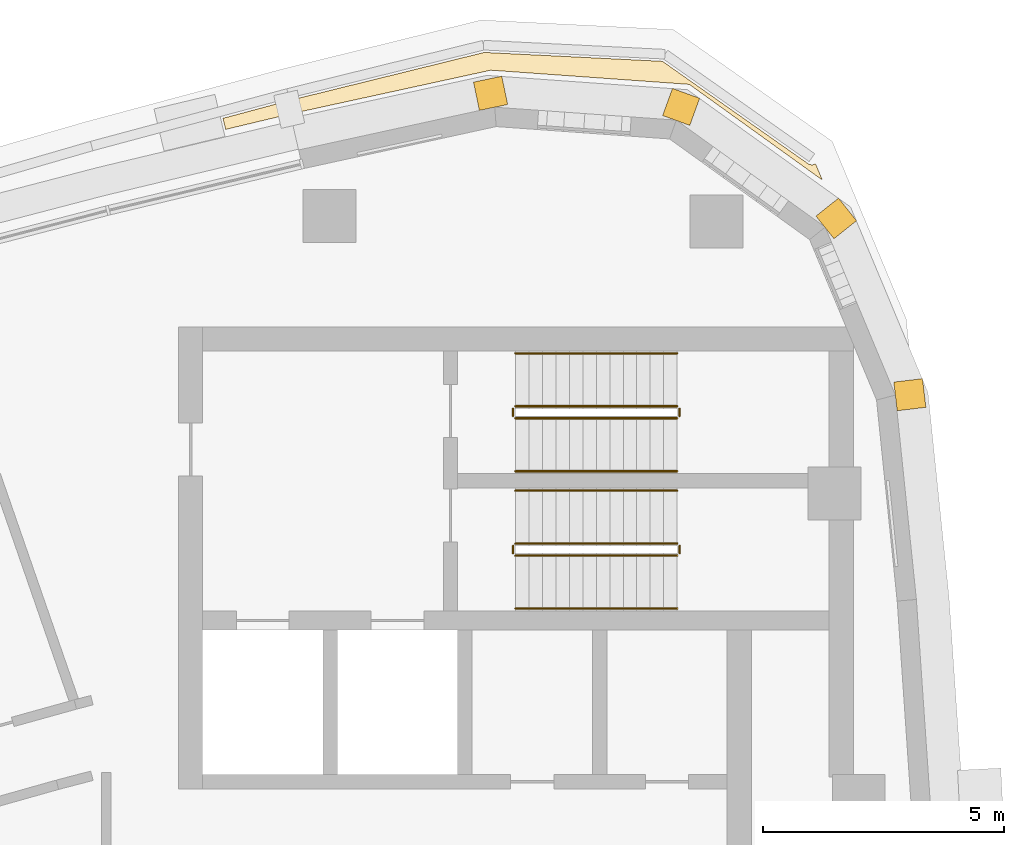
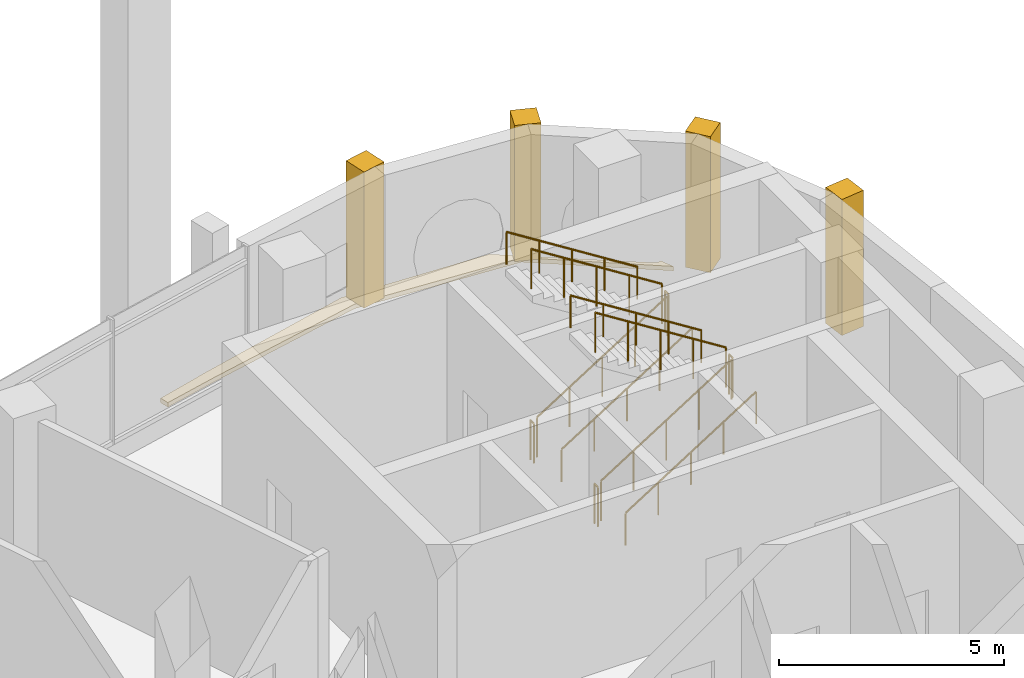
# One storey, part 14 of 15: 12 railings, 5 coverings.
"""IFC4 building model written with IfcOpenShell, lengths in metres."""

from ifc_helpers import new_model, si_unit, direction, frame, frame_2d, origin, origin_2d, place, context, subcontext, project, spatial, polyline, rectangle, circle, outline, extrude, material, layer, layer_set, type_object, element, save


model = new_model("IFC4")

# Units and contexts
model_context = context("Model", 3, precision=1e-05, world=origin(), true_north=direction((0.0, 1.0)))
body_context = subcontext(model_context, "Body", "Model", "MODEL_VIEW")
ifc_project = project(units=[si_unit("LENGTHUNIT", "METRE"), si_unit("AREAUNIT", "SQUARE_METRE"), si_unit("VOLUMEUNIT", "CUBIC_METRE"), si_unit("PLANEANGLEUNIT", "RADIAN"), si_unit("MASSUNIT", "GRAM", prefix="KILO")], contexts=[model_context])

# Site, building, storey
site_placement = place(None, origin())
site = spatial("IfcSite", under=ifc_project, at=site_placement, CompositionType="ELEMENT")
building_placement = place(site_placement, origin())
building = spatial("IfcBuilding", under=site, at=building_placement, Name="Ostrand Prow Hotel Tower", CompositionType="ELEMENT")
storey_placement = place(building_placement, frame((0.0, 0.0, 263.300048828125)))
storey = spatial("IfcBuildingStorey", under=building, at=storey_placement, Name="L66", CompositionType="ELEMENT", Elevation=263.300048828125)

# Coverings
ifc_material_1 = material(Name="Limestone cladding", Category="masonry")
ifc_layer_1 = layer(ifc_material_1, 0.60009765625)
ifc_layer_set_1 = layer_set([ifc_layer_1], Name="Limestone cladding")
covering_type_1 = type_object("IfcCoveringType", Name="Precast stone prow rib 600x600", PredefinedType="CLADDING", material=ifc_layer_set_1)
covering_1_placement = place(storey_placement, frame((65.0966796875, 14.806396484375, 0.599853515625), z_axis=(0.0, 0.0, 1.0), x_axis=(0.992867207971, 0.119225447515, 0.0)))
element("IfcCovering", 1, at=covering_1_placement, inside=storey, type_object=covering_type_1, Name="Stone corner rib 12a", PredefinedType="CLADDING", context=body_context, shape_type="SweptSolid", body=[
    extrude(rectangle(XDim=0.60009765625, YDim=0.60009765625, at=frame_2d((0.300048828125, 0.0))), origin(), (0.0, 0.0, 1.0), 3.7001953125),
])
for number, where, z_axis, x_axis, name in (
    (2, (63.630615234375, 18.318359375, 0.599853515625), (0.0, 0.0, 1.0), (0.782731736812, 0.622359243674, 0.0), "Stone corner rib 13a"),
    (3, (60.540283203125, 20.539794921875, 0.599853515625), (0.0, 0.0, 1.0), (0.340664419472, 0.940184956966, 0.0), "Stone corner rib 14a"),
):
    element("IfcCovering", number, at=place(storey_placement, frame(where, z_axis=z_axis, x_axis=x_axis)), inside=storey, type_object=covering_type_1, Name=name, PredefinedType="CLADDING", context=body_context, shape_type="SweptSolid", body=[
        extrude(rectangle(XDim=0.599853515625, YDim=0.60009765625, at=frame_2d((0.2998046875, 0.0))), origin(), (0.0, 0.0, 1.0), 3.7001953125),
    ])
covering_2_placement = place(storey_placement, frame((56.744384765625, 20.810546875, 0.599853515625), z_axis=(0.0, 0.0, 1.0), x_axis=(-0.203385687349, 0.979098698897, 0.0)))
element("IfcCovering", 4, at=covering_2_placement, inside=storey, type_object=covering_type_1, Name="Stone corner rib 14b", PredefinedType="CLADDING", context=body_context, shape_type="SweptSolid", body=[
    extrude(rectangle(XDim=0.60009765625, YDim=0.60009765625, at=frame_2d((0.300048828125, 0.0))), origin(), (0.0, 0.0, 1.0), 3.7001953125),
])
ifc_material_2 = material(Name="Bituminous membrane, insulation and stone ballast", Category="masonry")
ifc_layer_2 = layer(ifc_material_2, 0.1201171875)
ifc_layer_set_2 = layer_set([ifc_layer_2], Name="Bituminous membrane, insulation and stone ballast")
covering_type_2 = type_object("IfcCoveringType", Name="Roof build-up membrane, insulation and stone ballast 120 mm", PredefinedType="ROOFING", material=ifc_layer_set_2)
covering_3_placement = place(storey_placement, origin())
element("IfcCovering", 5, at=covering_3_placement, inside=storey, type_object=covering_type_2, Name="Roof build-up Ledge roof slab L66.1 2", PredefinedType="ROOFING", context=body_context, shape_type="SweptSolid", body=[
    extrude(outline(polyline([(63.5751953125, 19.3037109375), (63.435546875, 19.638916015625), (63.427490234375, 19.634521484375), (63.4140625, 19.62841796875), (63.400146484375, 19.623779296875), (63.3857421875, 19.62060546875), (63.37109375, 19.618896484375), (63.3564453125, 19.618408203125), (63.341796875, 19.619384765625), (63.3271484375, 19.6220703125), (63.31298828125, 19.6259765625), (63.29931640625, 19.631103515625), (63.2861328125, 19.6376953125), (63.273681640625, 19.645751953125), (60.2548828125, 21.76904296875), (56.55224609375, 21.953857421875), (52.510986328125, 20.956787109375), (51.12451171875, 20.585205078125), (51.1796875, 20.354736328125), (52.5224609375, 20.676025390625), (56.686279296875, 21.58447265625), (60.81201171875, 21.2900390625), (63.5751953125, 19.3037109375)])), origin(), (0.0, 0.0, 1.0), 0.119873046875),
])

# Railings
ifc_material_3 = material(Name="Painted steel", Category="steel")
railing_type_1 = type_object("IfcRailingType", Name="Stair guard 1100", PredefinedType="GUARDRAIL", material=ifc_material_3)
railing_1_placement = place(storey_placement, frame((57.199951171875, 11.5, 0.1767578125)))
element("IfcRailing", 6, at=railing_1_placement, inside=storey, type_object=railing_type_1, Name="L66 ST1C stair guard 1", PredefinedType="GUARDRAIL", context=body_context, shape_type="SweptSolid", body=[
    extrude(circle(Radius=0.02392578125, at=origin_2d()), frame((0.0, 0.0, 1.076171875), z_axis=(0.845361898145, 0.0, 0.534194029511), x_axis=(0.0, 1.0, 0.0)), (0.0, 0.0, 1.0), 3.974853515625),
    extrude(circle(Radius=0.02099609375, at=origin_2d()), origin(), (0.0, 0.0, 1.0), 1.052001953125),
    extrude(circle(Radius=0.02099609375, at=origin_2d()), frame((0.840087890625, 0.0, 0.53076171875)), (0.0, 0.0, 1.0), 1.052001953125),
    extrude(circle(Radius=0.02099609375, at=origin_2d()), frame((1.68017578125, 0.0, 1.0615234375)), (0.0, 0.0, 1.0), 1.052001953125),
    extrude(circle(Radius=0.02099609375, at=origin_2d()), frame((2.52001953125, 0.0, 1.592529296875)), (0.0, 0.0, 1.0), 1.052001953125),
    extrude(circle(Radius=0.02099609375, at=origin_2d()), frame((3.360107421875, 0.0, 2.123291015625)), (0.0, 0.0, 1.0), 1.052001953125),
])
railing_2_placement = place(storey_placement, frame((60.610107421875, 11.550048828125, 2.300048828125)))
element("IfcRailing", 7, at=railing_2_placement, inside=storey, type_object=railing_type_1, Name="L66 ST1C stair guard 2", PredefinedType="GUARDRAIL", context=body_context, shape_type="SweptSolid", body=[
    extrude(circle(Radius=0.02392578125, at=origin_2d()), frame((0.0, 0.0, 1.076171875), z_axis=(0.0, 1.0, 0.0), x_axis=(-1.0, 0.0, 0.0)), (0.0, 0.0, 1.0), 0.14990234375),
    extrude(circle(Radius=0.02099609375, at=origin_2d()), origin(), (0.0, 0.0, 1.0), 1.052001953125),
    extrude(circle(Radius=0.02099609375, at=origin_2d()), frame((0.0, 0.14990234375, 0.0)), (0.0, 0.0, 1.0), 1.052001953125),
])
railing_3_placement = place(storey_placement, frame((60.56005859375, 11.75, 2.476806640625)))
element("IfcRailing", 8, at=railing_3_placement, inside=storey, type_object=railing_type_1, Name="L66 ST1C stair guard 3", PredefinedType="GUARDRAIL", context=body_context, shape_type="SweptSolid", body=[
    extrude(circle(Radius=0.02392578125, at=origin_2d()), frame((0.0, 0.0, 1.076171875), z_axis=(-0.845389635667, 0.0, 0.534150132366), x_axis=(0.0, -1.0, 0.0)), (0.0, 0.0, 1.0), 3.974609375),
    extrude(circle(Radius=0.02099609375, at=origin_2d()), origin(), (0.0, 0.0, 1.0), 1.052001953125),
    extrude(circle(Radius=0.02099609375, at=origin_2d()), frame((-0.840087890625, 0.0, 0.53076171875)), (0.0, 0.0, 1.0), 1.052001953125),
    extrude(circle(Radius=0.02099609375, at=origin_2d()), frame((-1.68017578125, 0.0, 1.0615234375)), (0.0, 0.0, 1.0), 1.052001953125),
    extrude(circle(Radius=0.02099609375, at=origin_2d()), frame((-2.52001953125, 0.0, 1.59228515625)), (0.0, 0.0, 1.0), 1.052001953125),
    extrude(circle(Radius=0.02099609375, at=origin_2d()), frame((-3.360107421875, 0.0, 2.123046875)), (0.0, 0.0, 1.0), 1.052001953125),
])
railing_4_placement = place(storey_placement, frame((57.14990234375, 11.550048828125, 0.0)))
element("IfcRailing", 9, at=railing_4_placement, inside=storey, type_object=railing_type_1, Name="L66 ST1C stair guard 4", PredefinedType="GUARDRAIL", context=body_context, shape_type="SweptSolid", body=[
    extrude(circle(Radius=0.02392578125, at=origin_2d()), frame((0.0, 0.0, 1.076171875), z_axis=(0.0, 1.0, 0.0), x_axis=(-1.0, 0.0, 0.0)), (0.0, 0.0, 1.0), 0.14990234375),
    extrude(circle(Radius=0.02099609375, at=origin_2d()), origin(), (0.0, 0.0, 1.0), 1.052001953125),
    extrude(circle(Radius=0.02099609375, at=origin_2d()), frame((0.0, 0.14990234375, 0.0)), (0.0, 0.0, 1.0), 1.052001953125),
])
railing_5_placement = place(storey_placement, frame((57.199951171875, 14.35009765625, 0.1767578125)))
element("IfcRailing", 10, at=railing_5_placement, inside=storey, type_object=railing_type_1, Name="L66 ST3C stair guard 1", PredefinedType="GUARDRAIL", context=body_context, shape_type="SweptSolid", body=[
    extrude(circle(Radius=0.02392578125, at=origin_2d()), frame((0.0, 0.0, 1.076171875), z_axis=(0.845361898145, 0.0, 0.534194029511), x_axis=(0.0, 1.0, 0.0)), (0.0, 0.0, 1.0), 3.974853515625),
    extrude(circle(Radius=0.02099609375, at=origin_2d()), origin(), (0.0, 0.0, 1.0), 1.052001953125),
    extrude(circle(Radius=0.02099609375, at=origin_2d()), frame((0.840087890625, 0.0, 0.53076171875)), (0.0, 0.0, 1.0), 1.052001953125),
    extrude(circle(Radius=0.02099609375, at=origin_2d()), frame((1.68017578125, 0.0, 1.0615234375)), (0.0, 0.0, 1.0), 1.052001953125),
    extrude(circle(Radius=0.02099609375, at=origin_2d()), frame((2.52001953125, 0.0, 1.592529296875)), (0.0, 0.0, 1.0), 1.052001953125),
    extrude(circle(Radius=0.02099609375, at=origin_2d()), frame((3.360107421875, 0.0, 2.123291015625)), (0.0, 0.0, 1.0), 1.052001953125),
])
railing_6_placement = place(storey_placement, frame((60.610107421875, 14.39990234375, 2.300048828125)))
element("IfcRailing", 11, at=railing_6_placement, inside=storey, type_object=railing_type_1, Name="L66 ST3C stair guard 2", PredefinedType="GUARDRAIL", context=body_context, shape_type="SweptSolid", body=[
    extrude(circle(Radius=0.02392578125, at=origin_2d()), frame((0.0, 0.0, 1.076171875), z_axis=(0.0, 1.0, 0.0), x_axis=(-1.0, 0.0, 0.0)), (0.0, 0.0, 1.0), 0.150146484375),
    extrude(circle(Radius=0.02099609375, at=origin_2d()), origin(), (0.0, 0.0, 1.0), 1.052001953125),
    extrude(circle(Radius=0.02099609375, at=origin_2d()), frame((0.0, 0.150146484375, 0.0)), (0.0, 0.0, 1.0), 1.052001953125),
])
railing_7_placement = place(storey_placement, frame((60.56005859375, 14.60009765625, 2.476806640625)))
element("IfcRailing", 12, at=railing_7_placement, inside=storey, type_object=railing_type_1, Name="L66 ST3C stair guard 3", PredefinedType="GUARDRAIL", context=body_context, shape_type="SweptSolid", body=[
    extrude(circle(Radius=0.02392578125, at=origin_2d()), frame((0.0, 0.0, 1.076171875), z_axis=(-0.845389635667, 0.0, 0.534150132366), x_axis=(0.0, -1.0, 0.0)), (0.0, 0.0, 1.0), 3.974609375),
    extrude(circle(Radius=0.02099609375, at=origin_2d()), origin(), (0.0, 0.0, 1.0), 1.052001953125),
    extrude(circle(Radius=0.02099609375, at=origin_2d()), frame((-0.840087890625, 0.0, 0.53076171875)), (0.0, 0.0, 1.0), 1.052001953125),
    extrude(circle(Radius=0.02099609375, at=origin_2d()), frame((-1.68017578125, 0.0, 1.0615234375)), (0.0, 0.0, 1.0), 1.052001953125),
    extrude(circle(Radius=0.02099609375, at=origin_2d()), frame((-2.52001953125, 0.0, 1.59228515625)), (0.0, 0.0, 1.0), 1.052001953125),
    extrude(circle(Radius=0.02099609375, at=origin_2d()), frame((-3.360107421875, 0.0, 2.123046875)), (0.0, 0.0, 1.0), 1.052001953125),
])
railing_8_placement = place(storey_placement, frame((57.14990234375, 14.39990234375, 0.0)))
element("IfcRailing", 13, at=railing_8_placement, inside=storey, type_object=railing_type_1, Name="L66 ST3C stair guard 4", PredefinedType="GUARDRAIL", context=body_context, shape_type="SweptSolid", body=[
    extrude(circle(Radius=0.02392578125, at=origin_2d()), frame((0.0, 0.0, 1.076171875), z_axis=(0.0, 1.0, 0.0), x_axis=(-1.0, 0.0, 0.0)), (0.0, 0.0, 1.0), 0.150146484375),
    extrude(circle(Radius=0.02099609375, at=origin_2d()), origin(), (0.0, 0.0, 1.0), 1.052001953125),
    extrude(circle(Radius=0.02099609375, at=origin_2d()), frame((0.0, 0.150146484375, 0.0)), (0.0, 0.0, 1.0), 1.052001953125),
])
ifc_material_4 = material(Name="Stainless steel", Category="steel")
railing_type_2 = type_object("IfcRailingType", Name="Stair handrail 900", PredefinedType="HANDRAIL", material=ifc_material_4)
railing_9_placement = place(storey_placement, frame((57.199951171875, 10.39990234375, 0.1767578125)))
element("IfcRailing", 14, at=railing_9_placement, inside=storey, type_object=railing_type_2, Name="L66 ST1C stair handrail 1", PredefinedType="HANDRAIL", context=body_context, shape_type="SweptSolid", body=[
    extrude(circle(Radius=0.02392578125, at=origin_2d()), frame((0.0, 0.0, 0.8759765625), z_axis=(0.845361898145, 0.0, 0.534194029511), x_axis=(0.0, 1.0, 0.0)), (0.0, 0.0, 1.0), 3.974853515625),
    extrude(circle(Radius=0.02099609375, at=origin_2d()), origin(), (0.0, 0.0, 1.0), 0.851806640625),
    extrude(circle(Radius=0.02099609375, at=origin_2d()), frame((0.840087890625, 0.0, 0.53076171875)), (0.0, 0.0, 1.0), 0.851806640625),
    extrude(circle(Radius=0.02099609375, at=origin_2d()), frame((1.68017578125, 0.0, 1.0615234375)), (0.0, 0.0, 1.0), 0.851806640625),
    extrude(circle(Radius=0.02099609375, at=origin_2d()), frame((2.52001953125, 0.0, 1.592529296875)), (0.0, 0.0, 1.0), 0.851806640625),
    extrude(circle(Radius=0.02099609375, at=origin_2d()), frame((3.360107421875, 0.0, 2.123291015625)), (0.0, 0.0, 1.0), 0.851806640625),
])
railing_10_placement = place(storey_placement, frame((60.56005859375, 12.85009765625, 2.476806640625)))
element("IfcRailing", 15, at=railing_10_placement, inside=storey, type_object=railing_type_2, Name="L66 ST1C stair handrail 2", PredefinedType="HANDRAIL", context=body_context, shape_type="SweptSolid", body=[
    extrude(circle(Radius=0.02392578125, at=origin_2d()), frame((0.0, 0.0, 0.8759765625), z_axis=(-0.845389635667, 0.0, 0.534150132366), x_axis=(0.0, -1.0, 0.0)), (0.0, 0.0, 1.0), 3.974609375),
    extrude(circle(Radius=0.02099609375, at=origin_2d()), origin(), (0.0, 0.0, 1.0), 0.851806640625),
    extrude(circle(Radius=0.02099609375, at=origin_2d()), frame((-0.840087890625, 0.0, 0.53076171875)), (0.0, 0.0, 1.0), 0.851806640625),
    extrude(circle(Radius=0.02099609375, at=origin_2d()), frame((-1.68017578125, 0.0, 1.0615234375)), (0.0, 0.0, 1.0), 0.851806640625),
    extrude(circle(Radius=0.02099609375, at=origin_2d()), frame((-2.52001953125, 0.0, 1.59228515625)), (0.0, 0.0, 1.0), 0.851806640625),
    extrude(circle(Radius=0.02099609375, at=origin_2d()), frame((-3.360107421875, 0.0, 2.123046875)), (0.0, 0.0, 1.0), 0.851806640625),
])
railing_11_placement = place(storey_placement, frame((57.199951171875, 13.25, 0.1767578125)))
element("IfcRailing", 16, at=railing_11_placement, inside=storey, type_object=railing_type_2, Name="L66 ST3C stair handrail 1", PredefinedType="HANDRAIL", context=body_context, shape_type="SweptSolid", body=[
    extrude(circle(Radius=0.02392578125, at=origin_2d()), frame((0.0, 0.0, 0.8759765625), z_axis=(0.845361898145, 0.0, 0.534194029511), x_axis=(0.0, 1.0, 0.0)), (0.0, 0.0, 1.0), 3.974853515625),
    extrude(circle(Radius=0.02099609375, at=origin_2d()), origin(), (0.0, 0.0, 1.0), 0.851806640625),
    extrude(circle(Radius=0.02099609375, at=origin_2d()), frame((0.840087890625, 0.0, 0.53076171875)), (0.0, 0.0, 1.0), 0.851806640625),
    extrude(circle(Radius=0.02099609375, at=origin_2d()), frame((1.68017578125, 0.0, 1.0615234375)), (0.0, 0.0, 1.0), 0.851806640625),
    extrude(circle(Radius=0.02099609375, at=origin_2d()), frame((2.52001953125, 0.0, 1.592529296875)), (0.0, 0.0, 1.0), 0.851806640625),
    extrude(circle(Radius=0.02099609375, at=origin_2d()), frame((3.360107421875, 0.0, 2.123291015625)), (0.0, 0.0, 1.0), 0.851806640625),
])
railing_12_placement = place(storey_placement, frame((60.56005859375, 15.699951171875, 2.476806640625)))
element("IfcRailing", 17, at=railing_12_placement, inside=storey, type_object=railing_type_2, Name="L66 ST3C stair handrail 2", PredefinedType="HANDRAIL", context=body_context, shape_type="SweptSolid", body=[
    extrude(circle(Radius=0.02392578125, at=origin_2d()), frame((0.0, 0.0, 0.8759765625), z_axis=(-0.845389635667, 0.0, 0.534150132366), x_axis=(0.0, -1.0, 0.0)), (0.0, 0.0, 1.0), 3.974609375),
    extrude(circle(Radius=0.02099609375, at=origin_2d()), origin(), (0.0, 0.0, 1.0), 0.851806640625),
    extrude(circle(Radius=0.02099609375, at=origin_2d()), frame((-0.840087890625, 0.0, 0.53076171875)), (0.0, 0.0, 1.0), 0.851806640625),
    extrude(circle(Radius=0.02099609375, at=origin_2d()), frame((-1.68017578125, 0.0, 1.0615234375)), (0.0, 0.0, 1.0), 0.851806640625),
    extrude(circle(Radius=0.02099609375, at=origin_2d()), frame((-2.52001953125, 0.0, 1.59228515625)), (0.0, 0.0, 1.0), 0.851806640625),
    extrude(circle(Radius=0.02099609375, at=origin_2d()), frame((-3.360107421875, 0.0, 2.123046875)), (0.0, 0.0, 1.0), 0.851806640625),
])

save(model, "model.ifc")
